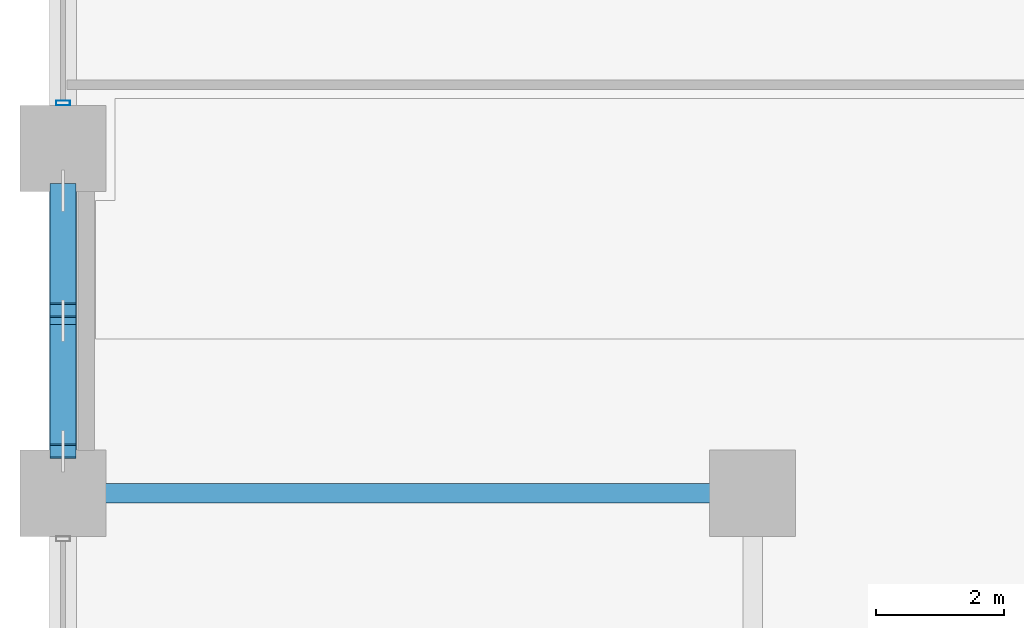
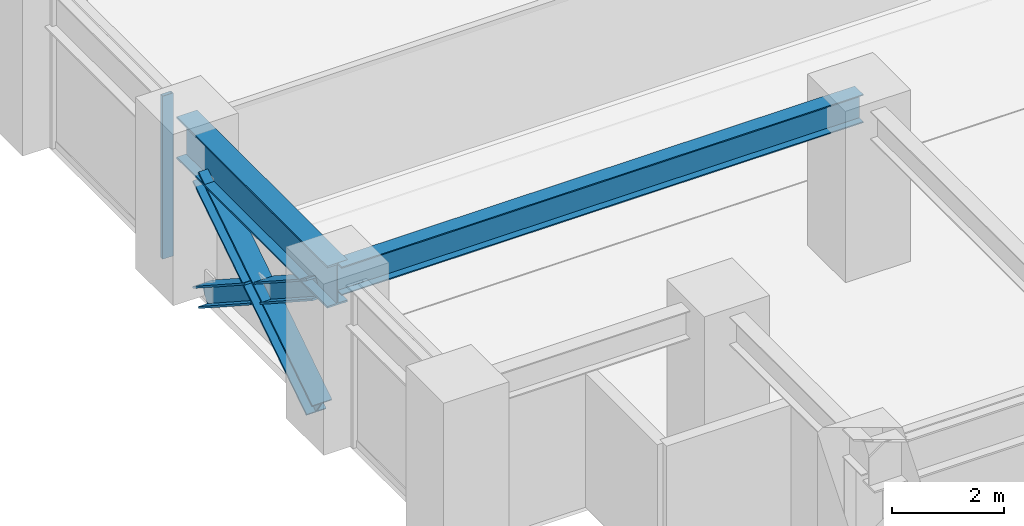
# One storey, part 3 of 25: 4 members, 2 beams, 1 element without a shape of its own.
"""IFC4 building model written with IfcOpenShell, lengths in metres."""

from ifc_helpers import new_model, si_unit, direction, frame, origin, origin_2d, place, context, subcontext, project, spatial, hollow_rectangle, i_section, extrude, material, layer, layer_set, material_profile, profile_set, type_object, element, aggregate, save


model = new_model("IFC4")

# Units and contexts
model_context = context("Model", 3, precision=1e-05, world=origin(), true_north=direction((0.0, 1.0)))
body_context = subcontext(model_context, "Body", "Model", "MODEL_VIEW")
ifc_project = project(units=[si_unit("LENGTHUNIT", "METRE"), si_unit("AREAUNIT", "SQUARE_METRE"), si_unit("VOLUMEUNIT", "CUBIC_METRE"), si_unit("PLANEANGLEUNIT", "RADIAN"), si_unit("MASSUNIT", "GRAM", prefix="KILO")], contexts=[model_context])

# Site, building, storey
site_placement = place(None, origin())
site = spatial("IfcSite", under=ifc_project, at=site_placement, CompositionType="ELEMENT")
building_placement = place(site_placement, origin())
building = spatial("IfcBuilding", under=site, at=building_placement, Name="Surkhivell Harbour Commons", CompositionType="ELEMENT")
storey_placement = place(building_placement, frame((0.0, 0.0, 48.75)))
storey = spatial("IfcBuildingStorey", under=building, at=storey_placement, Name="L12", CompositionType="ELEMENT", Elevation=48.75)

# Beams
ifc_material_1 = material(Name="Steel S355", Category="steel")
ifc_material_profile_1 = material_profile(ifc_material_1, i_section(OverallWidth=0.306884765625, OverallDepth=0.6201171875, WebThickness=0.01416015625, FlangeThickness=0.023681640625, at=origin_2d()), Name="UB610x305x179")
ifc_profile_set_1 = profile_set([ifc_material_profile_1], Name="Steel S355")
beam_type_1 = type_object("IfcBeamType", Name="BM-GRD-610A", PredefinedType="BEAM", material=ifc_profile_set_1)
beam_1_placement = place(storey_placement, frame((-32.39990234375, -16.199951171875, 3.260009765625), z_axis=(1.0, 0.0, 0.0), x_axis=(0.0, 1.0, 0.0)))
element("IfcBeam", 1, at=beam_1_placement, inside=storey, type_object=beam_type_1, Name="L12 Floor Girder (-32.4,-16.2)", PredefinedType="BEAM", context=body_context, shape_type="SweptSolid", body=[
    extrude(i_section(OverallWidth=0.306884765625, OverallDepth=0.6201171875, WebThickness=0.01416015625, FlangeThickness=0.023681640625, at=origin_2d()), origin(), (0.0, 0.0, 1.0), 10.7998046875),
])
ifc_material_2 = material(Name="Steel S460", Category="steel")
ifc_material_profile_2 = material_profile(ifc_material_2, i_section(OverallWidth=0.419921875, OverallDepth=0.9208984375, WebThickness=0.021484375, FlangeThickness=0.03662109375, at=origin_2d()), Name="UB914x419x388")
ifc_profile_set_2 = profile_set([ifc_material_profile_2], Name="Steel S460")
beam_type_2 = type_object("IfcBeamType", Name="BM-SPN-914A", PredefinedType="SPANDREL", material=ifc_profile_set_2)
beam_2_placement = place(storey_placement, frame((-32.39990234375, -16.199951171875, 3.109619140625), z_axis=(0.0, 1.0, 0.0), x_axis=(-1.0, 0.0, 0.0)))
element("IfcBeam", 2, at=beam_2_placement, inside=storey, type_object=beam_type_2, Name="L12 Tube Spandrel (-32.4,-16.2)", PredefinedType="SPANDREL", context=body_context, shape_type="SweptSolid", body=[
    extrude(i_section(OverallWidth=0.419921875, OverallDepth=0.9208984375, WebThickness=0.021484375, FlangeThickness=0.03662109375, at=origin_2d()), origin(), (0.0, 0.0, 1.0), 5.39990234375),
])

# Curtain wall, member
ifc_material_3 = material(Name="Anodised pale-metal aluminium and insulated glazing", Category="aluminium")
ifc_layer = layer(ifc_material_3, 0.219970703125)
ifc_layer_set = layer_set([ifc_layer], Name="Anodised pale-metal aluminium and insulated glazing")
curtain_wall_type = type_object("IfcCurtainWallType", Name="CW-SYS-Z1", PredefinedType="NOTDEFINED", material=ifc_layer_set)
curtain_wall_placement = place(storey_placement, origin())
curtain_wall = element("IfcCurtainWall", 3, at=curtain_wall_placement, inside=storey, type_object=curtain_wall_type, Name="L12 Curtain Wall CW-L12-E12S1", PredefinedType="NOTDEFINED")
ifc_material_4 = material(Name="Anodised pale-metal aluminium alloy 6063-T6", Category="aluminium")
ifc_material_profile_3 = material_profile(ifc_material_4, hollow_rectangle(XDim=0.074951171875, YDim=0.219970703125, WallThickness=0.00390625, at=origin_2d()), Name="ALU-MULL-75x220")
ifc_profile_set_3 = profile_set([ifc_material_profile_3], Name="Anodised pale-metal aluminium alloy 6063-T6")
member_type_1 = type_object("IfcMemberType", Name="CWM-220", PredefinedType="MULLION", material=ifc_profile_set_3)
member_1_placement = place(storey_placement, frame((-32.39990234375, -10.08544921875, 0.0), z_axis=(0.0, 0.0, 1.0), x_axis=(0.0, -1.0, 0.0)))
member_1 = element("IfcMember", 4, at=member_1_placement, type_object=member_type_1, Name="CW-Z1 mullion 7", PredefinedType="MULLION", context=body_context, shape_type="SweptSolid", body=[
    extrude(hollow_rectangle(XDim=0.074951171875, YDim=0.219970703125, WallThickness=0.00390625, at=origin_2d()), origin(), (0.0, 0.0, 1.0), 3.570068359375),
])
aggregate(curtain_wall, [member_1])

# Members
ifc_material_profile_4 = material_profile(ifc_material_2, i_section(OverallWidth=0.406005859375, OverallDepth=0.416015625, WebThickness=0.026611328125, FlangeThickness=0.0390625, at=origin_2d()), Name="HD400x382")
ifc_profile_set_4 = profile_set([ifc_material_profile_4], Name="Steel S460")
member_type_2 = type_object("IfcMemberType", Name="MEM-BRC-HD382", PredefinedType="BRACE", material=ifc_profile_set_4)
member_2_placement = place(storey_placement, frame((-32.39990234375, -15.5400390625, 0.008056640625), z_axis=(0.0, 0.83910375559, 0.543971403067), x_axis=(-1.0, 0.0, 0.0)))
element("IfcMember", 5, at=member_2_placement, inside=storey, type_object=member_type_2, Name="L12 Perimeter Mega-Brace MB- 10", PredefinedType="BRACE", context=body_context, shape_type="SweptSolid", body=[
    extrude(i_section(OverallWidth=0.406005859375, OverallDepth=0.416015625, WebThickness=0.026611328125, FlangeThickness=0.0390625, at=origin_2d()), origin(), (0.0, 0.0, 1.0), 4.8623046875),
])
for number, where, z_axis, x_axis, name in (
    (6, (-32.39990234375, -11.4599609375, 0.008056640625), (0.0, -0.839117847051, 0.54394966565), (1.0, 0.0, 0.0), "L12 Perimeter Mega-Brace MB- 11"),
    (7, (-32.39990234375, -13.66748046875, 1.439208984375), (0.0, -0.839117847051, 0.54394966565), (1.0, 0.0, 0.0), "L12 Perimeter Mega-Brace MB- 12"),
):
    element("IfcMember", number, at=place(storey_placement, frame(where, z_axis=z_axis, x_axis=x_axis)), inside=storey, type_object=member_type_2, Name=name, PredefinedType="BRACE", context=body_context, shape_type="SweptSolid", body=[
        extrude(i_section(OverallWidth=0.406005859375, OverallDepth=0.416015625, WebThickness=0.026611328125, FlangeThickness=0.0390625, at=origin_2d()), origin(), (0.0, 0.0, 1.0), 2.231689453125),
    ])

save(model, "model.ifc")
